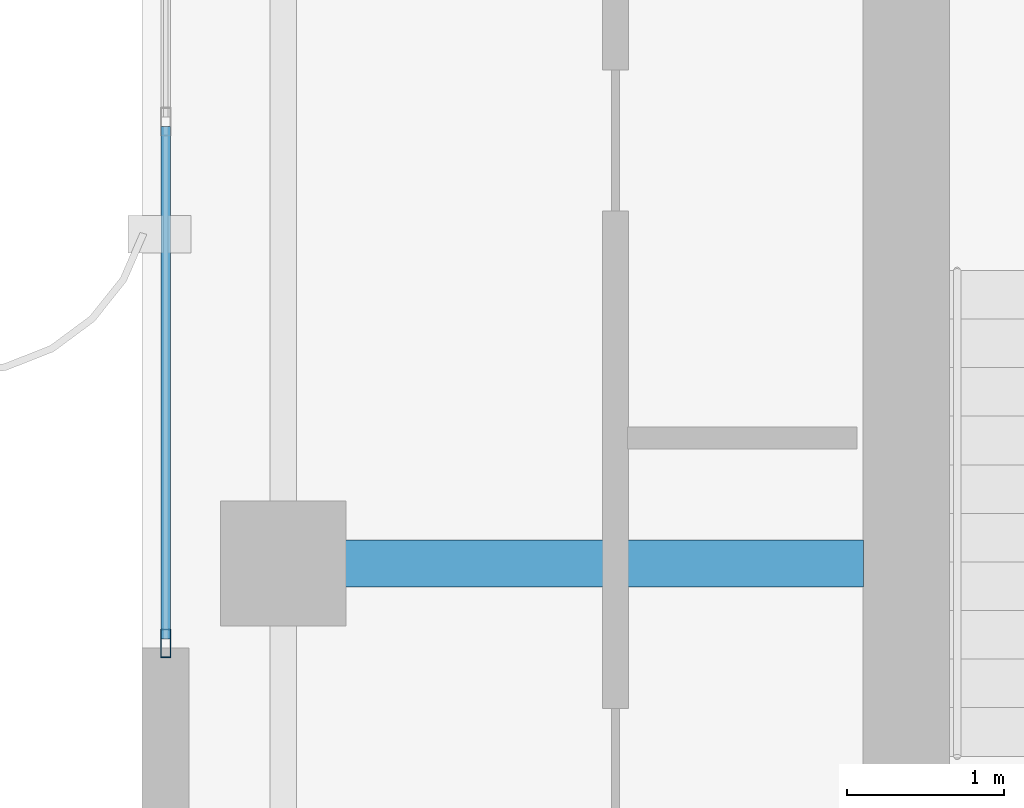
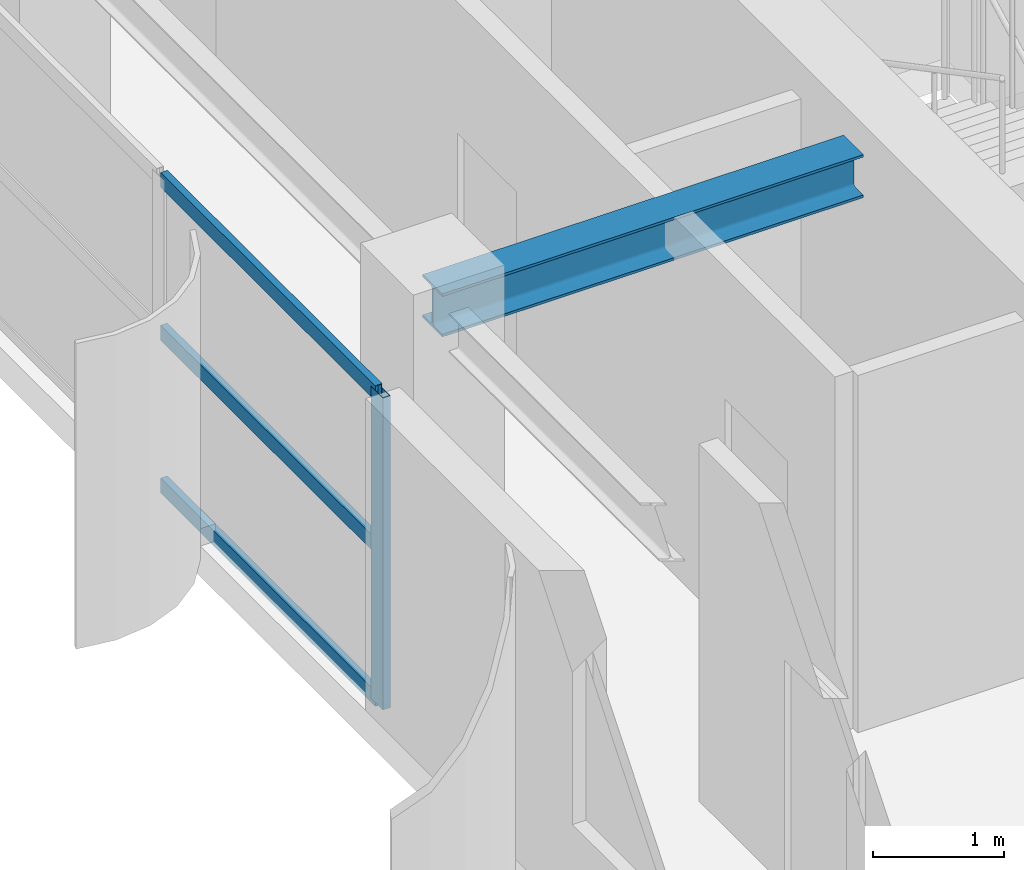
# One storey, part 4 of 19: 4 members, 1 beam, 1 element without a shape of its own.
"""IFC4 building model written with IfcOpenShell, lengths in metres."""

from ifc_helpers import new_model, si_unit, direction, frame, origin, origin_2d, place, context, subcontext, project, spatial, hollow_rectangle, i_section, extrude, source, transform, mapped, material, layer, layer_set, material_profile, profile_set, type_object, element, aggregate, save


model = new_model("IFC4")

# Units and contexts
model_context = context("Model", 3, precision=1e-05, world=origin(), true_north=direction((0.0, 1.0)))
body_context = subcontext(model_context, "Body", "Model", "MODEL_VIEW")
ifc_project = project(units=[si_unit("LENGTHUNIT", "METRE"), si_unit("AREAUNIT", "SQUARE_METRE"), si_unit("VOLUMEUNIT", "CUBIC_METRE"), si_unit("PLANEANGLEUNIT", "RADIAN"), si_unit("MASSUNIT", "GRAM", prefix="KILO")], contexts=[model_context])

# Site, building, storey
site_placement = place(None, origin())
site = spatial("IfcSite", under=ifc_project, at=site_placement, CompositionType="ELEMENT")
building_placement = place(site_placement, origin())
building = spatial("IfcBuilding", under=site, at=building_placement, Name="Khoralis Quay Care Tower", CompositionType="ELEMENT")
storey_placement = place(building_placement, frame((0.0, 0.0, 281.699951171875)))
storey = spatial("IfcBuildingStorey", under=building, at=storey_placement, Name="L74", CompositionType="ELEMENT", Elevation=281.699951171875)

# Beam
ifc_material_1 = material(Name="Steel S355", Category="steel")
ifc_material_profile_1 = material_profile(ifc_material_1, i_section(OverallWidth=0.300048828125, OverallDepth=0.39990234375, WebThickness=0.013427734375, FlangeThickness=0.02392578125, FilletRadius=0.027099609375, at=origin_2d()), Name="Steel S355")
ifc_profile_set_1 = profile_set([ifc_material_profile_1], Name="Steel S355")
beam_type = type_object("IfcBeamType", Name="BM-HEB400", PredefinedType="BEAM", material=ifc_profile_set_1)
shared_shape_1 = source(origin(), body_context, "Body", "SweptSolid", [
    extrude(i_section(OverallWidth=0.300048828125, OverallDepth=0.39990234375, WebThickness=0.013427734375, FlangeThickness=0.02392578125, FilletRadius=0.027099609375, at=origin_2d()), origin(), (0.0, 0.0, 1.0), 3.7021484375),
])
beam_placement = place(storey_placement, frame((3.89990234375, 18.0, 3.1201171875), z_axis=(1.0, 0.0, 0.0), x_axis=(0.0, 1.0, 0.0)))
element("IfcBeam", 1, at=beam_placement, inside=storey, type_object=beam_type, Name="BM-TGXW-L74-180", PredefinedType="BEAM", context=body_context, shape_type="MappedRepresentation", body=[
    mapped(shared_shape_1, transform((0.0, 0.0, 0.0), scale=1.0)),
])

# Curtain wall, members
ifc_material_2 = material(Name="Pale anodised aluminium", Category="aluminium")
ifc_layer = layer(ifc_material_2, 0.159912109375)
ifc_layer_set = layer_set([ifc_layer], Name="Pale anodised aluminium")
curtain_wall_type = type_object("IfcCurtainWallType", Name="CW-SYS-Z3", PredefinedType="NOTDEFINED", material=ifc_layer_set)
curtain_wall_placement = place(storey_placement, origin())
curtain_wall = element("IfcCurtainWall", 2, at=curtain_wall_placement, inside=storey, type_object=curtain_wall_type, Name="L74 Unitised Curtain Wall CW-L74-P1-E15", PredefinedType="NOTDEFINED")
ifc_material_profile_2 = material_profile(ifc_material_2, hollow_rectangle(XDim=0.06005859375, YDim=0.139892578125, WallThickness=0.00390625, at=origin_2d()), Name="Pale anodised aluminium")
ifc_profile_set_2 = profile_set([ifc_material_profile_2], Name="Pale anodised aluminium")
member_type_1 = type_object("IfcMemberType", Name="CW-TRN-140", PredefinedType="USERDEFINED", material=ifc_profile_set_2)
shared_shape_2 = source(origin(), body_context, "Body", "SweptSolid", [
    extrude(hollow_rectangle(XDim=0.06005859375, YDim=0.139892578125, WallThickness=0.00390625, at=origin_2d()), origin(), (0.0, 0.0, 1.0), 3.27001953125),
])
member_1_placement = place(storey_placement, frame((3.14990234375, 20.7900390625, 0.030029296875), z_axis=(0.0, -1.0, 0.0), x_axis=(1.0, 0.0, 0.0)))
member_1 = element("IfcMember", 3, at=member_1_placement, type_object=member_type_1, Name="CW3 transom 3.1", ObjectType="TRANSOM", PredefinedType="USERDEFINED", context=body_context, shape_type="MappedRepresentation", body=[
    mapped(shared_shape_2, transform((0.0, 0.0, 0.0), scale=1.0)),
])
member_2_placement = place(storey_placement, frame((3.14990234375, 20.7900390625, 1.449951171875), z_axis=(0.0, -1.0, 0.0), x_axis=(1.0, 0.0, 0.0)))
member_2 = element("IfcMember", 4, at=member_2_placement, type_object=member_type_1, Name="CW3 transom 3.2", ObjectType="TRANSOM", PredefinedType="USERDEFINED", context=body_context, shape_type="MappedRepresentation", body=[
    mapped(shared_shape_2, transform((0.0, 0.0, 0.0), scale=1.0)),
])
member_3_placement = place(storey_placement, frame((3.14990234375, 20.7900390625, 2.8701171875), z_axis=(0.0, -1.0, 0.0), x_axis=(1.0, 0.0, 0.0)))
member_3 = element("IfcMember", 5, at=member_3_placement, type_object=member_type_1, Name="CW3 transom 3.3", ObjectType="TRANSOM", PredefinedType="USERDEFINED", context=body_context, shape_type="MappedRepresentation", body=[
    mapped(shared_shape_2, transform((0.0, 0.0, 0.0), scale=1.0)),
])
ifc_material_profile_3 = material_profile(ifc_material_2, hollow_rectangle(XDim=0.06494140625, YDim=0.179931640625, WallThickness=0.00390625, at=origin_2d()), Name="Pale anodised aluminium")
ifc_profile_set_3 = profile_set([ifc_material_profile_3], Name="Pale anodised aluminium")
member_type_2 = type_object("IfcMemberType", Name="CW-MUL-180", PredefinedType="MULLION", material=ifc_profile_set_3)
shared_shape_3 = source(origin(), body_context, "Body", "SweptSolid", [
    extrude(hollow_rectangle(XDim=0.06494140625, YDim=0.179931640625, WallThickness=0.00390625, at=origin_2d()), origin(), (0.0, 0.0, 1.0), 2.900146484375),
])
member_4_placement = place(storey_placement, frame((3.14990234375, 17.489990234375, 0.0), z_axis=(0.0, 0.0, 1.0), x_axis=(1.0, 0.0, 0.0)))
member_4 = element("IfcMember", 6, at=member_4_placement, type_object=member_type_2, Name="CW3 mullion 4", PredefinedType="MULLION", context=body_context, shape_type="MappedRepresentation", body=[
    mapped(shared_shape_3, transform((0.0, 0.0, 0.0), scale=1.0)),
])
aggregate(curtain_wall, [member_4, member_1, member_2, member_3])

save(model, "model.ifc")
